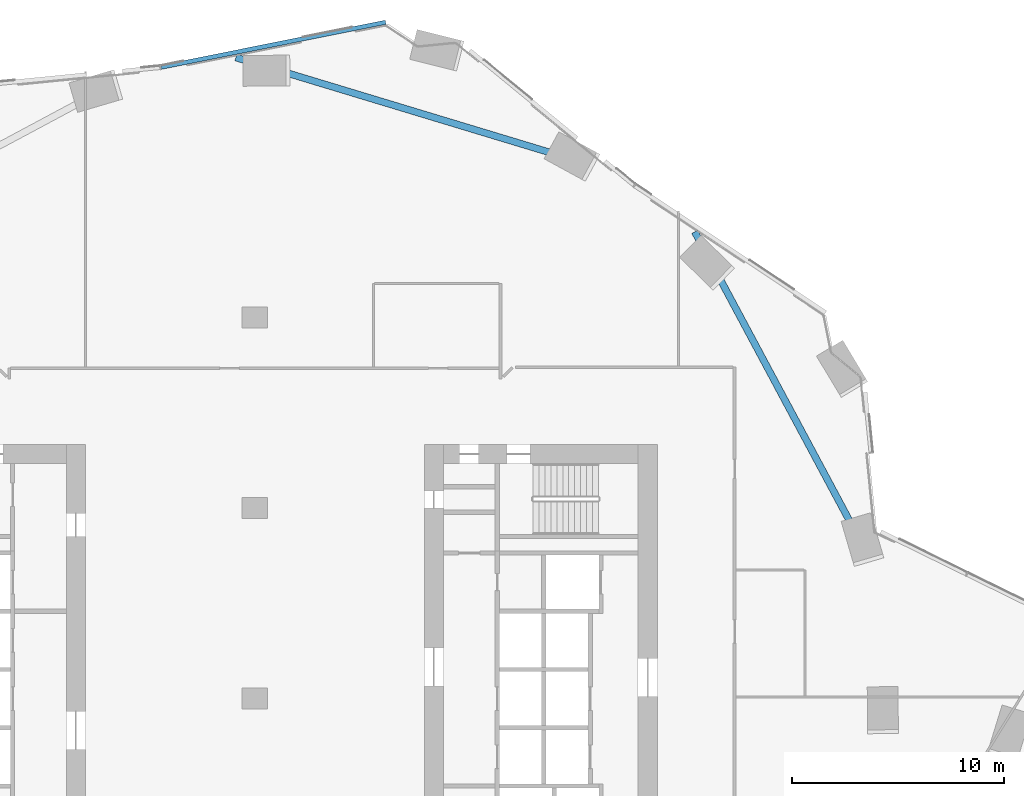
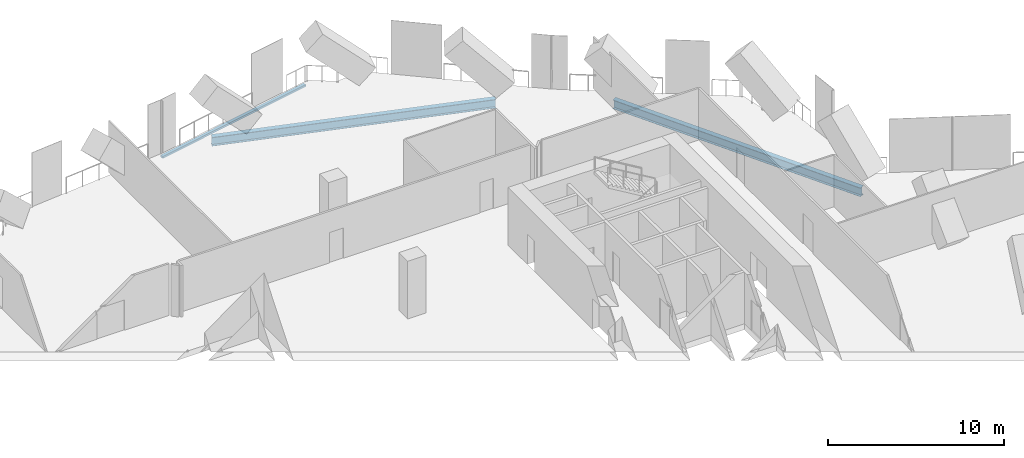
# One storey, part 13 of 31: 2 beams, 1 member, 1 element without a shape of its own.
"""IFC4 building model written with IfcOpenShell, lengths in metres."""

from ifc_helpers import new_model, si_unit, direction, frame, origin, origin_2d, place, context, subcontext, project, spatial, rectangle, i_section, extrude, material, material_profile, profile_set, type_object, element, aggregate, save


model = new_model("IFC4")

# Units and contexts
model_context = context("Model", 3, precision=1e-05, world=origin(), true_north=direction((0.0, 1.0)))
body_context = subcontext(model_context, "Body", "Model", "MODEL_VIEW")
ifc_project = project(units=[si_unit("LENGTHUNIT", "METRE"), si_unit("AREAUNIT", "SQUARE_METRE"), si_unit("VOLUMEUNIT", "CUBIC_METRE"), si_unit("PLANEANGLEUNIT", "RADIAN"), si_unit("MASSUNIT", "GRAM", prefix="KILO")], contexts=[model_context])

# Site, building, storey
site_placement = place(None, origin())
site = spatial("IfcSite", under=ifc_project, at=site_placement, CompositionType="ELEMENT")
building_placement = place(site_placement, origin())
building = spatial("IfcBuilding", under=site, at=building_placement, Name="Orlundy Tower", CompositionType="ELEMENT")
storey_placement = place(building_placement, frame((0.0, 0.0, 54.800048828125)))
storey = spatial("IfcBuildingStorey", under=building, at=storey_placement, Name="L12", CompositionType="ELEMENT", Elevation=54.800048828125)

# Beams
ifc_material_1 = material(Name="Steel ASTM A992 Gr 50", Category="steel")
ifc_material_profile_1 = material_profile(ifc_material_1, i_section(OverallWidth=0.32373046875, OverallDepth=0.611083984375, WebThickness=0.0126953125, FlangeThickness=0.01904296875, at=origin_2d()), Name="W24X104")
ifc_profile_set_1 = profile_set([ifc_material_profile_1], Name="Steel ASTM A992 Gr 50")
beam_type = type_object("IfcBeamType", Name="CANTILEVER GIRDER beam W24X104", PredefinedType="BEAM", material=ifc_profile_set_1)
beam_1_placement = place(storey_placement, frame((-0.8974609375, 30.272216796875, -0.70556640625), z_axis=(0.957156061054, -0.289572572576, 0.0), x_axis=(0.289572572576, 0.957156061054, 0.0)))
element("IfcBeam", 1, at=beam_1_placement, inside=storey, type_object=beam_type, Name="Cantilever girder C-H21 L12", PredefinedType="BEAM", context=body_context, shape_type="SweptSolid", body=[
    extrude(i_section(OverallWidth=0.32373046875, OverallDepth=0.611083984375, WebThickness=0.0126953125, FlangeThickness=0.01904296875, at=origin_2d()), origin(), (0.0, 0.0, 1.0), 16.566162109375),
])
beam_2_placement = place(storey_placement, frame((20.7705078125, 22.041015625, -0.70556640625), z_axis=(0.472072145766, -0.881559918095, 0.0), x_axis=(0.881559918095, 0.472072145766, 0.0)))
element("IfcBeam", 2, at=beam_2_placement, inside=storey, type_object=beam_type, Name="Cantilever girder C-H24 L12", PredefinedType="BEAM", context=body_context, shape_type="SweptSolid", body=[
    extrude(i_section(OverallWidth=0.32373046875, OverallDepth=0.611083984375, WebThickness=0.0126953125, FlangeThickness=0.01904296875, at=origin_2d()), origin(), (0.0, 0.0, 1.0), 16.5673828125),
])

# Curtain wall, member
ifc_material_2 = material(Name="Aluminium bronze anodised", Category="aluminium")
curtain_wall_type = type_object("IfcCurtainWallType", Name="CW5 wall", PredefinedType="NOTDEFINED", material=ifc_material_2)
curtain_wall_placement = place(storey_placement, origin())
curtain_wall = element("IfcCurtainWall", 3, at=curtain_wall_placement, inside=storey, type_object=curtain_wall_type, Name="CW5 run 021", PredefinedType="NOTDEFINED")
ifc_material_3 = material(Name="Aluminium bronze anodised", Category="aluminium")
ifc_material_profile_2 = material_profile(ifc_material_3, rectangle(XDim=0.199951171875, YDim=0.139892578125, at=origin_2d()), Name="CW5 transom 200x140")
ifc_profile_set_2 = profile_set([ifc_material_profile_2], Name="Aluminium bronze anodised")
member_type = type_object("IfcMemberType", Name="CW5 transom 200x140", PredefinedType="USERDEFINED", material=ifc_profile_set_2)
member_placement = place(storey_placement, frame((-4.433349609375, 29.81005859375, -0.330078125), z_axis=(0.980504200297, 0.196498125183, 0.0), x_axis=(-0.196498125183, 0.980504200297, 0.0)))
member = element("IfcMember", 4, at=member_placement, type_object=member_type, Name="CW5 transom", ObjectType="TRANSOM", PredefinedType="USERDEFINED", context=body_context, shape_type="SweptSolid", body=[
    extrude(rectangle(XDim=0.199951171875, YDim=0.139892578125, at=origin_2d()), origin(), (0.0, 0.0, 1.0), 10.815673828125),
])
aggregate(curtain_wall, [member])

save(model, "model.ifc")
